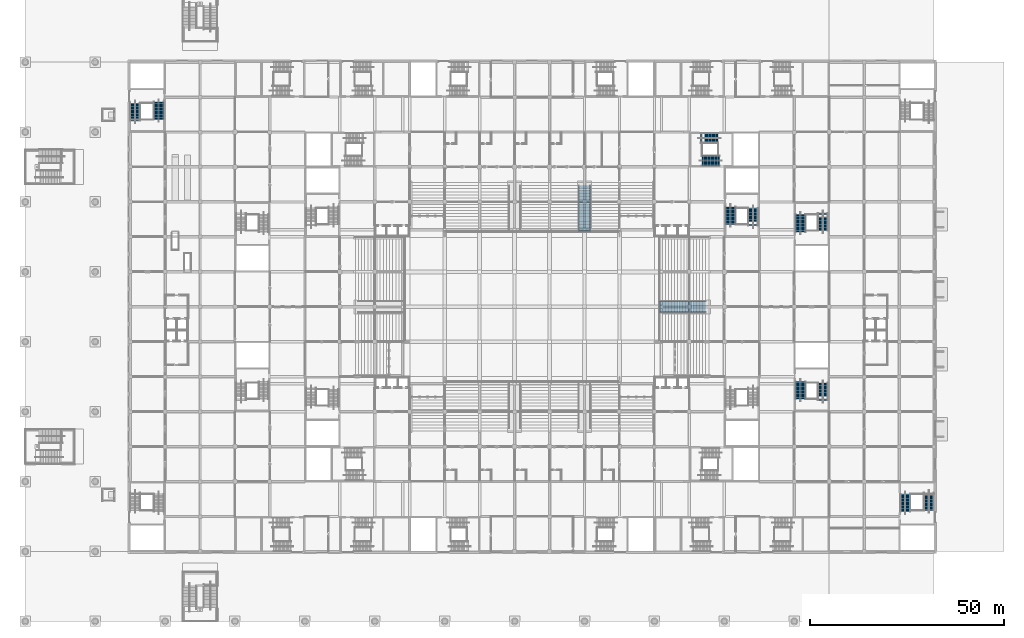
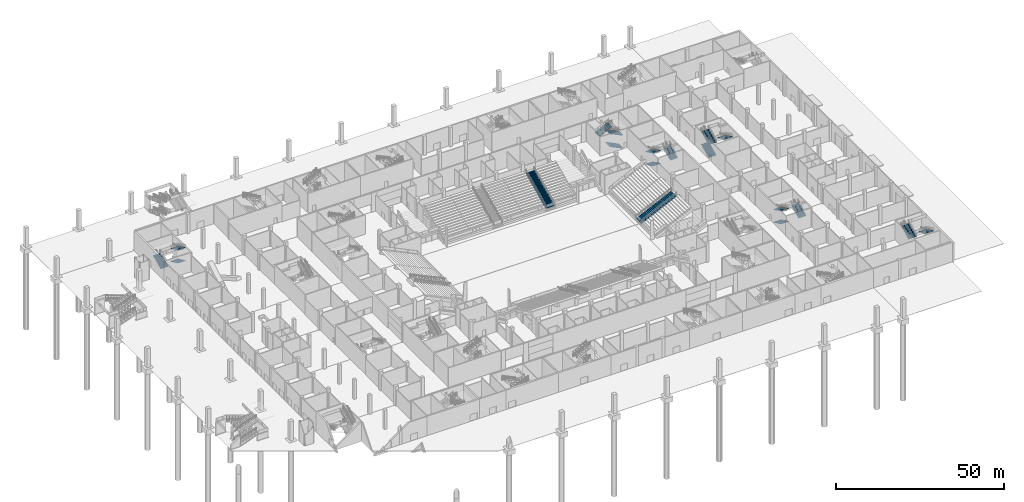
# One storey, part 45 of 92: 19 stair flights, 8 elements without a shape of their own.
"""IFC4 building model written with IfcOpenShell, lengths in metres."""

from ifc_helpers import new_model, si_unit, direction, frame, origin, place, context, subcontext, project, spatial, polyline, outline, extrude, material, type_object, element, aggregate, save


model = new_model("IFC4")

# Units and contexts
model_context = context("Model", 3, precision=1e-05, world=origin(), true_north=direction((0.0, 1.0)))
body_context = subcontext(model_context, "Body", "Model", "MODEL_VIEW")
ifc_project = project(units=[si_unit("LENGTHUNIT", "METRE"), si_unit("AREAUNIT", "SQUARE_METRE"), si_unit("VOLUMEUNIT", "CUBIC_METRE"), si_unit("PLANEANGLEUNIT", "RADIAN"), si_unit("MASSUNIT", "GRAM", prefix="KILO")], contexts=[model_context])

# Site, building, storey
site_placement = place(None, origin())
site = spatial("IfcSite", under=ifc_project, at=site_placement, CompositionType="ELEMENT")
building_placement = place(site_placement, origin())
building = spatial("IfcBuilding", under=site, at=building_placement, Name="Silverbay Arena", CompositionType="ELEMENT")
storey_placement = place(building_placement, origin())
storey = spatial("IfcBuildingStorey", under=building, at=storey_placement, Name="L00", CompositionType="ELEMENT", Elevation=0.0)

# Stair, stair flights
ifc_material_1 = material(Name="Concrete Grade C45", Category="concrete")
stair_type_1 = type_object("IfcStairType", Name="Stair 2600 wide 48 risers 145.8 x 300", PredefinedType="HALF_TURN_STAIR", material=ifc_material_1)
stair_1_placement = place(storey_placement, origin())
stair_1 = element("IfcStair", 1, at=stair_1_placement, inside=storey, type_object=stair_type_1, Name="Stair ST-E1 L00 to L01", PredefinedType="HALF_TURN_STAIR")
ifc_material_2 = material(Name="Concrete Grade C45", Category="concrete")
stair_flight_type_1 = type_object("IfcStairFlightType", Name="Stair flight 2600 wide 16 risers 145.8 x 300", PredefinedType="STRAIGHT", material=ifc_material_2)
stair_flight_1_placement = place(storey_placement, frame((199.60009765625, 61.7431640625, 0.0), z_axis=(0.0, 0.0, 1.0), x_axis=(0.0, -1.0, 0.0)))
stair_flight_1 = element("IfcStairFlight", 2, at=stair_flight_1_placement, type_object=stair_flight_type_1, Name="Stair ST-E1 L00 to L01 flight 1", NumberOfRisers=16, NumberOfTreads=15, PredefinedType="STRAIGHT", RiserHeight=0.145833333, TreadLength=0.3, context=body_context, shape_type="SweptSolid", body=[
    extrude(outline(polyline([(0.0, 0.0), (0.0, 0.145751953125), (0.300048828125, 0.145751953125), (0.300048828125, 0.291748046875), (0.60009765625, 0.291748046875), (0.60009765625, 0.4375), (0.89990234375, 0.4375), (0.89990234375, 0.583251953125), (1.199951171875, 0.583251953125), (1.199951171875, 0.729248046875), (1.5, 0.729248046875), (1.5, 0.875), (1.800048828125, 0.875), (1.800048828125, 1.020751953125), (2.10009765625, 1.020751953125), (2.10009765625, 1.166748046875), (2.39990234375, 1.166748046875), (2.39990234375, 1.3125), (2.699951171875, 1.3125), (2.699951171875, 1.458251953125), (3.0, 1.458251953125), (3.0, 1.604248046875), (3.300048828125, 1.604248046875), (3.300048828125, 1.75), (3.60009765625, 1.75), (3.60009765625, 1.895751953125), (3.89990234375, 1.895751953125), (3.89990234375, 2.041748046875), (4.199951171875, 2.041748046875), (4.199951171875, 2.1875), (4.5, 2.1875), (4.5, 2.020751953125), (0.3427734375, 0.0), (0.0, 0.0)])), frame((0.0, 1.300048828125, 0.0), z_axis=(0.0, -1.0, 0.0), x_axis=(1.0, 0.0, 0.0)), (0.0, 0.0, 1.0), 2.60009765625),
])
stair_flight_2_placement = place(storey_placement, frame((205.39990234375, 56.89990234375, 2.333251953125), z_axis=(0.0, 0.0, 1.0), x_axis=(0.0, 1.0, 0.0)))
stair_flight_2 = element("IfcStairFlight", 3, at=stair_flight_2_placement, type_object=stair_flight_type_1, Name="Stair ST-E1 L00 to L01 flight 2", NumberOfRisers=16, NumberOfTreads=15, PredefinedType="STRAIGHT", RiserHeight=0.145833333, TreadLength=0.3, context=body_context, shape_type="SweptSolid", body=[
    extrude(outline(polyline([(0.0, 0.0), (0.0, 0.145751953125), (0.300048828125, 0.145751953125), (0.300048828125, 0.291748046875), (0.60009765625, 0.291748046875), (0.60009765625, 0.4375), (0.89990234375, 0.4375), (0.89990234375, 0.583251953125), (1.199951171875, 0.583251953125), (1.199951171875, 0.729248046875), (1.5, 0.729248046875), (1.5, 0.875), (1.800048828125, 0.875), (1.800048828125, 1.020751953125), (2.10009765625, 1.020751953125), (2.10009765625, 1.166748046875), (2.39990234375, 1.166748046875), (2.39990234375, 1.3125), (2.699951171875, 1.3125), (2.699951171875, 1.458251953125), (3.0, 1.458251953125), (3.0, 1.604248046875), (3.300048828125, 1.604248046875), (3.300048828125, 1.75), (3.60009765625, 1.75), (3.60009765625, 1.895751953125), (3.89990234375, 1.895751953125), (3.89990234375, 2.041748046875), (4.199951171875, 2.041748046875), (4.199951171875, 2.1875), (4.5, 2.1875), (4.5, 2.020751953125), (0.3427734375, 0.0), (0.0, 0.0)])), frame((0.0, 1.300048828125, 0.0), z_axis=(0.0, -1.0, 0.0), x_axis=(1.0, 0.0, 0.0)), (0.0, 0.0, 1.0), 2.60009765625),
])
stair_flight_3_placement = place(storey_placement, frame((199.60009765625, 61.7431640625, 4.666748046875), z_axis=(0.0, 0.0, 1.0), x_axis=(0.0, -1.0, 0.0)))
stair_flight_3 = element("IfcStairFlight", 4, at=stair_flight_3_placement, type_object=stair_flight_type_1, Name="Stair ST-E1 L00 to L01 flight 3", NumberOfRisers=16, NumberOfTreads=15, PredefinedType="STRAIGHT", RiserHeight=0.145833333, TreadLength=0.3, context=body_context, shape_type="SweptSolid", body=[
    extrude(outline(polyline([(0.0, 0.0), (0.0, 0.145751953125), (0.300048828125, 0.145751953125), (0.300048828125, 0.291748046875), (0.60009765625, 0.291748046875), (0.60009765625, 0.4375), (0.89990234375, 0.4375), (0.89990234375, 0.583251953125), (1.199951171875, 0.583251953125), (1.199951171875, 0.729248046875), (1.5, 0.729248046875), (1.5, 0.875), (1.800048828125, 0.875), (1.800048828125, 1.020751953125), (2.10009765625, 1.020751953125), (2.10009765625, 1.166748046875), (2.39990234375, 1.166748046875), (2.39990234375, 1.3125), (2.699951171875, 1.3125), (2.699951171875, 1.458251953125), (3.0, 1.458251953125), (3.0, 1.604248046875), (3.300048828125, 1.604248046875), (3.300048828125, 1.75), (3.60009765625, 1.75), (3.60009765625, 1.895751953125), (3.89990234375, 1.895751953125), (3.89990234375, 2.041748046875), (4.199951171875, 2.041748046875), (4.199951171875, 2.1875), (4.5, 2.1875), (4.5, 2.020751953125), (0.3427734375, 0.0), (0.0, 0.0)])), frame((0.0, 1.300048828125, 0.0), z_axis=(0.0, -1.0, 0.0), x_axis=(1.0, 0.0, 0.0)), (0.0, 0.0, 1.0), 2.60009765625),
])
aggregate(stair_1, [stair_flight_1, stair_flight_2, stair_flight_3])

stair_2_placement = place(storey_placement, origin())
stair_2 = element("IfcStair", 5, at=stair_2_placement, inside=storey, type_object=stair_type_1, Name="Stair ST-E2 L00 to L01", PredefinedType="HALF_TURN_STAIR")
stair_flight_4_placement = place(storey_placement, frame((199.60009765625, 100.2568359375, 0.0), z_axis=(0.0, 0.0, 1.0), x_axis=(0.0, 1.0, 0.0)))
stair_flight_4 = element("IfcStairFlight", 6, at=stair_flight_4_placement, type_object=stair_flight_type_1, Name="Stair ST-E2 L00 to L01 flight 1", NumberOfRisers=16, NumberOfTreads=15, PredefinedType="STRAIGHT", RiserHeight=0.145833333, TreadLength=0.3, context=body_context, shape_type="SweptSolid", body=[
    extrude(outline(polyline([(0.0, 0.0), (0.0, 0.145751953125), (0.300048828125, 0.145751953125), (0.300048828125, 0.291748046875), (0.60009765625, 0.291748046875), (0.60009765625, 0.4375), (0.89990234375, 0.4375), (0.89990234375, 0.583251953125), (1.199951171875, 0.583251953125), (1.199951171875, 0.729248046875), (1.5, 0.729248046875), (1.5, 0.875), (1.800048828125, 0.875), (1.800048828125, 1.020751953125), (2.10009765625, 1.020751953125), (2.10009765625, 1.166748046875), (2.39990234375, 1.166748046875), (2.39990234375, 1.3125), (2.699951171875, 1.3125), (2.699951171875, 1.458251953125), (3.0, 1.458251953125), (3.0, 1.604248046875), (3.300048828125, 1.604248046875), (3.300048828125, 1.75), (3.60009765625, 1.75), (3.60009765625, 1.895751953125), (3.89990234375, 1.895751953125), (3.89990234375, 2.041748046875), (4.199951171875, 2.041748046875), (4.199951171875, 2.1875), (4.5, 2.1875), (4.5, 2.020751953125), (0.3427734375, 0.0), (0.0, 0.0)])), frame((0.0, 1.300048828125, 0.0), z_axis=(0.0, -1.0, 0.0), x_axis=(1.0, 0.0, 0.0)), (0.0, 0.0, 1.0), 2.60009765625),
])
stair_flight_5_placement = place(storey_placement, frame((205.39990234375, 105.10009765625, 2.333251953125), z_axis=(0.0, 0.0, 1.0), x_axis=(0.0, -1.0, 0.0)))
stair_flight_5 = element("IfcStairFlight", 7, at=stair_flight_5_placement, type_object=stair_flight_type_1, Name="Stair ST-E2 L00 to L01 flight 2", NumberOfRisers=16, NumberOfTreads=15, PredefinedType="STRAIGHT", RiserHeight=0.145833333, TreadLength=0.3, context=body_context, shape_type="SweptSolid", body=[
    extrude(outline(polyline([(0.0, 0.0), (0.0, 0.145751953125), (0.300048828125, 0.145751953125), (0.300048828125, 0.291748046875), (0.60009765625, 0.291748046875), (0.60009765625, 0.4375), (0.89990234375, 0.4375), (0.89990234375, 0.583251953125), (1.199951171875, 0.583251953125), (1.199951171875, 0.729248046875), (1.5, 0.729248046875), (1.5, 0.875), (1.800048828125, 0.875), (1.800048828125, 1.020751953125), (2.10009765625, 1.020751953125), (2.10009765625, 1.166748046875), (2.39990234375, 1.166748046875), (2.39990234375, 1.3125), (2.699951171875, 1.3125), (2.699951171875, 1.458251953125), (3.0, 1.458251953125), (3.0, 1.604248046875), (3.300048828125, 1.604248046875), (3.300048828125, 1.75), (3.60009765625, 1.75), (3.60009765625, 1.895751953125), (3.89990234375, 1.895751953125), (3.89990234375, 2.041748046875), (4.199951171875, 2.041748046875), (4.199951171875, 2.1875), (4.5, 2.1875), (4.5, 2.020751953125), (0.3427734375, 0.0), (0.0, 0.0)])), frame((0.0, 1.300048828125, 0.0), z_axis=(0.0, -1.0, 0.0), x_axis=(1.0, 0.0, 0.0)), (0.0, 0.0, 1.0), 2.60009765625),
])
stair_flight_6_placement = place(storey_placement, frame((199.60009765625, 100.2568359375, 4.666748046875), z_axis=(0.0, 0.0, 1.0), x_axis=(0.0, 1.0, 0.0)))
stair_flight_6 = element("IfcStairFlight", 8, at=stair_flight_6_placement, type_object=stair_flight_type_1, Name="Stair ST-E2 L00 to L01 flight 3", NumberOfRisers=16, NumberOfTreads=15, PredefinedType="STRAIGHT", RiserHeight=0.145833333, TreadLength=0.3, context=body_context, shape_type="SweptSolid", body=[
    extrude(outline(polyline([(0.0, 0.0), (0.0, 0.145751953125), (0.300048828125, 0.145751953125), (0.300048828125, 0.291748046875), (0.60009765625, 0.291748046875), (0.60009765625, 0.4375), (0.89990234375, 0.4375), (0.89990234375, 0.583251953125), (1.199951171875, 0.583251953125), (1.199951171875, 0.729248046875), (1.5, 0.729248046875), (1.5, 0.875), (1.800048828125, 0.875), (1.800048828125, 1.020751953125), (2.10009765625, 1.020751953125), (2.10009765625, 1.166748046875), (2.39990234375, 1.166748046875), (2.39990234375, 1.3125), (2.699951171875, 1.3125), (2.699951171875, 1.458251953125), (3.0, 1.458251953125), (3.0, 1.604248046875), (3.300048828125, 1.604248046875), (3.300048828125, 1.75), (3.60009765625, 1.75), (3.60009765625, 1.895751953125), (3.89990234375, 1.895751953125), (3.89990234375, 2.041748046875), (4.199951171875, 2.041748046875), (4.199951171875, 2.1875), (4.5, 2.1875), (4.5, 2.020751953125), (0.3427734375, 0.0), (0.0, 0.0)])), frame((0.0, 1.300048828125, 0.0), z_axis=(0.0, -1.0, 0.0), x_axis=(1.0, 0.0, 0.0)), (0.0, 0.0, 1.0), 2.60009765625),
])
aggregate(stair_2, [stair_flight_4, stair_flight_5, stair_flight_6])

stair_3_placement = place(storey_placement, origin())
stair_3 = element("IfcStair", 9, at=stair_3_placement, inside=storey, type_object=stair_type_1, Name="Stair ST-NE1 L00 to L01", PredefinedType="HALF_TURN_STAIR")
stair_flight_7_placement = place(storey_placement, frame((178.7431640625, 118.60009765625, 0.0), z_axis=(0.0, 0.0, 1.0), x_axis=(-1.0, 0.0, 0.0)))
stair_flight_7 = element("IfcStairFlight", 10, at=stair_flight_7_placement, type_object=stair_flight_type_1, Name="Stair ST-NE1 L00 to L01 flight 1", NumberOfRisers=16, NumberOfTreads=15, PredefinedType="STRAIGHT", RiserHeight=0.145833333, TreadLength=0.3, context=body_context, shape_type="SweptSolid", body=[
    extrude(outline(polyline([(0.0, 0.0), (0.0, 0.145751953125), (0.300048828125, 0.145751953125), (0.300048828125, 0.291748046875), (0.60009765625, 0.291748046875), (0.60009765625, 0.4375), (0.89990234375, 0.4375), (0.89990234375, 0.583251953125), (1.199951171875, 0.583251953125), (1.199951171875, 0.729248046875), (1.5, 0.729248046875), (1.5, 0.875), (1.800048828125, 0.875), (1.800048828125, 1.020751953125), (2.10009765625, 1.020751953125), (2.10009765625, 1.166748046875), (2.39990234375, 1.166748046875), (2.39990234375, 1.3125), (2.699951171875, 1.3125), (2.699951171875, 1.458251953125), (3.0, 1.458251953125), (3.0, 1.604248046875), (3.300048828125, 1.604248046875), (3.300048828125, 1.75), (3.60009765625, 1.75), (3.60009765625, 1.895751953125), (3.89990234375, 1.895751953125), (3.89990234375, 2.041748046875), (4.199951171875, 2.041748046875), (4.199951171875, 2.1875), (4.5, 2.1875), (4.5, 2.020751953125), (0.3427734375, 0.0), (0.0, 0.0)])), frame((0.0, 1.300048828125, 0.0), z_axis=(0.0, -1.0, 0.0), x_axis=(1.0, 0.0, 0.0)), (0.0, 0.0, 1.0), 2.60009765625),
])
stair_flight_8_placement = place(storey_placement, frame((173.89990234375, 124.39990234375, 2.333251953125), z_axis=(0.0, 0.0, 1.0), x_axis=(1.0, 0.0, 0.0)))
stair_flight_8 = element("IfcStairFlight", 11, at=stair_flight_8_placement, type_object=stair_flight_type_1, Name="Stair ST-NE1 L00 to L01 flight 2", NumberOfRisers=16, NumberOfTreads=15, PredefinedType="STRAIGHT", RiserHeight=0.145833333, TreadLength=0.3, context=body_context, shape_type="SweptSolid", body=[
    extrude(outline(polyline([(0.0, 0.0), (0.0, 0.145751953125), (0.300048828125, 0.145751953125), (0.300048828125, 0.291748046875), (0.60009765625, 0.291748046875), (0.60009765625, 0.4375), (0.89990234375, 0.4375), (0.89990234375, 0.583251953125), (1.199951171875, 0.583251953125), (1.199951171875, 0.729248046875), (1.5, 0.729248046875), (1.5, 0.875), (1.800048828125, 0.875), (1.800048828125, 1.020751953125), (2.10009765625, 1.020751953125), (2.10009765625, 1.166748046875), (2.39990234375, 1.166748046875), (2.39990234375, 1.3125), (2.699951171875, 1.3125), (2.699951171875, 1.458251953125), (3.0, 1.458251953125), (3.0, 1.604248046875), (3.300048828125, 1.604248046875), (3.300048828125, 1.75), (3.60009765625, 1.75), (3.60009765625, 1.895751953125), (3.89990234375, 1.895751953125), (3.89990234375, 2.041748046875), (4.199951171875, 2.041748046875), (4.199951171875, 2.1875), (4.5, 2.1875), (4.5, 2.020751953125), (0.3427734375, 0.0), (0.0, 0.0)])), frame((0.0, 1.300048828125, 0.0), z_axis=(0.0, -1.0, 0.0), x_axis=(1.0, 0.0, 0.0)), (0.0, 0.0, 1.0), 2.60009765625),
])
stair_flight_9_placement = place(storey_placement, frame((178.7431640625, 118.60009765625, 4.666748046875), z_axis=(0.0, 0.0, 1.0), x_axis=(-1.0, 0.0, 0.0)))
stair_flight_9 = element("IfcStairFlight", 12, at=stair_flight_9_placement, type_object=stair_flight_type_1, Name="Stair ST-NE1 L00 to L01 flight 3", NumberOfRisers=16, NumberOfTreads=15, PredefinedType="STRAIGHT", RiserHeight=0.145833333, TreadLength=0.3, context=body_context, shape_type="SweptSolid", body=[
    extrude(outline(polyline([(0.0, 0.0), (0.0, 0.145751953125), (0.300048828125, 0.145751953125), (0.300048828125, 0.291748046875), (0.60009765625, 0.291748046875), (0.60009765625, 0.4375), (0.89990234375, 0.4375), (0.89990234375, 0.583251953125), (1.199951171875, 0.583251953125), (1.199951171875, 0.729248046875), (1.5, 0.729248046875), (1.5, 0.875), (1.800048828125, 0.875), (1.800048828125, 1.020751953125), (2.10009765625, 1.020751953125), (2.10009765625, 1.166748046875), (2.39990234375, 1.166748046875), (2.39990234375, 1.3125), (2.699951171875, 1.3125), (2.699951171875, 1.458251953125), (3.0, 1.458251953125), (3.0, 1.604248046875), (3.300048828125, 1.604248046875), (3.300048828125, 1.75), (3.60009765625, 1.75), (3.60009765625, 1.895751953125), (3.89990234375, 1.895751953125), (3.89990234375, 2.041748046875), (4.199951171875, 2.041748046875), (4.199951171875, 2.1875), (4.5, 2.1875), (4.5, 2.020751953125), (0.3427734375, 0.0), (0.0, 0.0)])), frame((0.0, 1.300048828125, 0.0), z_axis=(0.0, -1.0, 0.0), x_axis=(1.0, 0.0, 0.0)), (0.0, 0.0, 1.0), 2.60009765625),
])
aggregate(stair_3, [stair_flight_7, stair_flight_8, stair_flight_9])

stair_4_placement = place(storey_placement, origin())
stair_4 = element("IfcStair", 13, at=stair_4_placement, inside=storey, type_object=stair_type_1, Name="Stair ST-NE2 L00 to L01", PredefinedType="HALF_TURN_STAIR")
stair_flight_10_placement = place(storey_placement, frame((181.60009765625, 106.7431640625, 0.0), z_axis=(0.0, 0.0, 1.0), x_axis=(0.0, -1.0, 0.0)))
stair_flight_10 = element("IfcStairFlight", 14, at=stair_flight_10_placement, type_object=stair_flight_type_1, Name="Stair ST-NE2 L00 to L01 flight 1", NumberOfRisers=16, NumberOfTreads=15, PredefinedType="STRAIGHT", RiserHeight=0.145833333, TreadLength=0.3, context=body_context, shape_type="SweptSolid", body=[
    extrude(outline(polyline([(0.0, 0.0), (0.0, 0.145751953125), (0.300048828125, 0.145751953125), (0.300048828125, 0.291748046875), (0.60009765625, 0.291748046875), (0.60009765625, 0.4375), (0.89990234375, 0.4375), (0.89990234375, 0.583251953125), (1.199951171875, 0.583251953125), (1.199951171875, 0.729248046875), (1.5, 0.729248046875), (1.5, 0.875), (1.800048828125, 0.875), (1.800048828125, 1.020751953125), (2.10009765625, 1.020751953125), (2.10009765625, 1.166748046875), (2.39990234375, 1.166748046875), (2.39990234375, 1.3125), (2.699951171875, 1.3125), (2.699951171875, 1.458251953125), (3.0, 1.458251953125), (3.0, 1.604248046875), (3.300048828125, 1.604248046875), (3.300048828125, 1.75), (3.60009765625, 1.75), (3.60009765625, 1.895751953125), (3.89990234375, 1.895751953125), (3.89990234375, 2.041748046875), (4.199951171875, 2.041748046875), (4.199951171875, 2.1875), (4.5, 2.1875), (4.5, 2.020751953125), (0.3427734375, 0.0), (0.0, 0.0)])), frame((0.0, 1.300048828125, 0.0), z_axis=(0.0, -1.0, 0.0), x_axis=(1.0, 0.0, 0.0)), (0.0, 0.0, 1.0), 2.60009765625),
])
stair_flight_11_placement = place(storey_placement, frame((187.39990234375, 101.89990234375, 2.333251953125), z_axis=(0.0, 0.0, 1.0), x_axis=(0.0, 1.0, 0.0)))
stair_flight_11 = element("IfcStairFlight", 15, at=stair_flight_11_placement, type_object=stair_flight_type_1, Name="Stair ST-NE2 L00 to L01 flight 2", NumberOfRisers=16, NumberOfTreads=15, PredefinedType="STRAIGHT", RiserHeight=0.145833333, TreadLength=0.3, context=body_context, shape_type="SweptSolid", body=[
    extrude(outline(polyline([(0.0, 0.0), (0.0, 0.145751953125), (0.300048828125, 0.145751953125), (0.300048828125, 0.291748046875), (0.60009765625, 0.291748046875), (0.60009765625, 0.4375), (0.89990234375, 0.4375), (0.89990234375, 0.583251953125), (1.199951171875, 0.583251953125), (1.199951171875, 0.729248046875), (1.5, 0.729248046875), (1.5, 0.875), (1.800048828125, 0.875), (1.800048828125, 1.020751953125), (2.10009765625, 1.020751953125), (2.10009765625, 1.166748046875), (2.39990234375, 1.166748046875), (2.39990234375, 1.3125), (2.699951171875, 1.3125), (2.699951171875, 1.458251953125), (3.0, 1.458251953125), (3.0, 1.604248046875), (3.300048828125, 1.604248046875), (3.300048828125, 1.75), (3.60009765625, 1.75), (3.60009765625, 1.895751953125), (3.89990234375, 1.895751953125), (3.89990234375, 2.041748046875), (4.199951171875, 2.041748046875), (4.199951171875, 2.1875), (4.5, 2.1875), (4.5, 2.020751953125), (0.3427734375, 0.0), (0.0, 0.0)])), frame((0.0, 1.300048828125, 0.0), z_axis=(0.0, -1.0, 0.0), x_axis=(1.0, 0.0, 0.0)), (0.0, 0.0, 1.0), 2.60009765625),
])
stair_flight_12_placement = place(storey_placement, frame((181.60009765625, 106.7431640625, 4.666748046875), z_axis=(0.0, 0.0, 1.0), x_axis=(0.0, -1.0, 0.0)))
stair_flight_12 = element("IfcStairFlight", 16, at=stair_flight_12_placement, type_object=stair_flight_type_1, Name="Stair ST-NE2 L00 to L01 flight 3", NumberOfRisers=16, NumberOfTreads=15, PredefinedType="STRAIGHT", RiserHeight=0.145833333, TreadLength=0.3, context=body_context, shape_type="SweptSolid", body=[
    extrude(outline(polyline([(0.0, 0.0), (0.0, 0.145751953125), (0.300048828125, 0.145751953125), (0.300048828125, 0.291748046875), (0.60009765625, 0.291748046875), (0.60009765625, 0.4375), (0.89990234375, 0.4375), (0.89990234375, 0.583251953125), (1.199951171875, 0.583251953125), (1.199951171875, 0.729248046875), (1.5, 0.729248046875), (1.5, 0.875), (1.800048828125, 0.875), (1.800048828125, 1.020751953125), (2.10009765625, 1.020751953125), (2.10009765625, 1.166748046875), (2.39990234375, 1.166748046875), (2.39990234375, 1.3125), (2.699951171875, 1.3125), (2.699951171875, 1.458251953125), (3.0, 1.458251953125), (3.0, 1.604248046875), (3.300048828125, 1.604248046875), (3.300048828125, 1.75), (3.60009765625, 1.75), (3.60009765625, 1.895751953125), (3.89990234375, 1.895751953125), (3.89990234375, 2.041748046875), (4.199951171875, 2.041748046875), (4.199951171875, 2.1875), (4.5, 2.1875), (4.5, 2.020751953125), (0.3427734375, 0.0), (0.0, 0.0)])), frame((0.0, 1.300048828125, 0.0), z_axis=(0.0, -1.0, 0.0), x_axis=(1.0, 0.0, 0.0)), (0.0, 0.0, 1.0), 2.60009765625),
])
aggregate(stair_4, [stair_flight_10, stair_flight_11, stair_flight_12])

stair_5_placement = place(storey_placement, origin())
stair_5 = element("IfcStair", 17, at=stair_5_placement, inside=storey, type_object=stair_type_1, Name="Stair ST-WG2 L00 to L01", PredefinedType="HALF_TURN_STAIR")
stair_flight_13_placement = place(storey_placement, frame((34.39990234375, 133.7431640625, 0.0), z_axis=(0.0, 0.0, 1.0), x_axis=(0.0, -1.0, 0.0)))
stair_flight_13 = element("IfcStairFlight", 18, at=stair_flight_13_placement, type_object=stair_flight_type_1, Name="Stair ST-WG2 L00 to L01 flight 1", NumberOfRisers=16, NumberOfTreads=15, PredefinedType="STRAIGHT", RiserHeight=0.145833333, TreadLength=0.3, context=body_context, shape_type="SweptSolid", body=[
    extrude(outline(polyline([(0.0, 0.0), (0.0, 0.145751953125), (0.300048828125, 0.145751953125), (0.300048828125, 0.291748046875), (0.60009765625, 0.291748046875), (0.60009765625, 0.4375), (0.89990234375, 0.4375), (0.89990234375, 0.583251953125), (1.199951171875, 0.583251953125), (1.199951171875, 0.729248046875), (1.5, 0.729248046875), (1.5, 0.875), (1.800048828125, 0.875), (1.800048828125, 1.020751953125), (2.10009765625, 1.020751953125), (2.10009765625, 1.166748046875), (2.39990234375, 1.166748046875), (2.39990234375, 1.3125), (2.699951171875, 1.3125), (2.699951171875, 1.458251953125), (3.0, 1.458251953125), (3.0, 1.604248046875), (3.300048828125, 1.604248046875), (3.300048828125, 1.75), (3.60009765625, 1.75), (3.60009765625, 1.895751953125), (3.89990234375, 1.895751953125), (3.89990234375, 2.041748046875), (4.199951171875, 2.041748046875), (4.199951171875, 2.1875), (4.5, 2.1875), (4.5, 2.020751953125), (0.3427734375, 0.0), (0.0, 0.0)])), frame((0.0, 1.300048828125, 0.0), z_axis=(0.0, -1.0, 0.0), x_axis=(1.0, 0.0, 0.0)), (0.0, 0.0, 1.0), 2.60009765625),
])
stair_flight_14_placement = place(storey_placement, frame((28.300048828125, 128.89990234375, 2.333251953125), z_axis=(0.0, 0.0, 1.0), x_axis=(0.0, 1.0, 0.0)))
stair_flight_14 = element("IfcStairFlight", 19, at=stair_flight_14_placement, type_object=stair_flight_type_1, Name="Stair ST-WG2 L00 to L01 flight 2", NumberOfRisers=16, NumberOfTreads=15, PredefinedType="STRAIGHT", RiserHeight=0.145833333, TreadLength=0.3, context=body_context, shape_type="SweptSolid", body=[
    extrude(outline(polyline([(0.0, 0.0), (0.0, 0.145751953125), (0.300048828125, 0.145751953125), (0.300048828125, 0.291748046875), (0.60009765625, 0.291748046875), (0.60009765625, 0.4375), (0.89990234375, 0.4375), (0.89990234375, 0.583251953125), (1.199951171875, 0.583251953125), (1.199951171875, 0.729248046875), (1.5, 0.729248046875), (1.5, 0.875), (1.800048828125, 0.875), (1.800048828125, 1.020751953125), (2.10009765625, 1.020751953125), (2.10009765625, 1.166748046875), (2.39990234375, 1.166748046875), (2.39990234375, 1.3125), (2.699951171875, 1.3125), (2.699951171875, 1.458251953125), (3.0, 1.458251953125), (3.0, 1.604248046875), (3.300048828125, 1.604248046875), (3.300048828125, 1.75), (3.60009765625, 1.75), (3.60009765625, 1.895751953125), (3.89990234375, 1.895751953125), (3.89990234375, 2.041748046875), (4.199951171875, 2.041748046875), (4.199951171875, 2.1875), (4.5, 2.1875), (4.5, 2.020751953125), (0.3427734375, 0.0), (0.0, 0.0)])), frame((0.0, 1.300048828125, 0.0), z_axis=(0.0, -1.0, 0.0), x_axis=(1.0, 0.0, 0.0)), (0.0, 0.0, 1.0), 2.60009765625),
])
stair_flight_15_placement = place(storey_placement, frame((34.39990234375, 133.7431640625, 4.666748046875), z_axis=(0.0, 0.0, 1.0), x_axis=(0.0, -1.0, 0.0)))
stair_flight_15 = element("IfcStairFlight", 20, at=stair_flight_15_placement, type_object=stair_flight_type_1, Name="Stair ST-WG2 L00 to L01 flight 3", NumberOfRisers=16, NumberOfTreads=15, PredefinedType="STRAIGHT", RiserHeight=0.145833333, TreadLength=0.3, context=body_context, shape_type="SweptSolid", body=[
    extrude(outline(polyline([(0.0, 0.0), (0.0, 0.145751953125), (0.300048828125, 0.145751953125), (0.300048828125, 0.291748046875), (0.60009765625, 0.291748046875), (0.60009765625, 0.4375), (0.89990234375, 0.4375), (0.89990234375, 0.583251953125), (1.199951171875, 0.583251953125), (1.199951171875, 0.729248046875), (1.5, 0.729248046875), (1.5, 0.875), (1.800048828125, 0.875), (1.800048828125, 1.020751953125), (2.10009765625, 1.020751953125), (2.10009765625, 1.166748046875), (2.39990234375, 1.166748046875), (2.39990234375, 1.3125), (2.699951171875, 1.3125), (2.699951171875, 1.458251953125), (3.0, 1.458251953125), (3.0, 1.604248046875), (3.300048828125, 1.604248046875), (3.300048828125, 1.75), (3.60009765625, 1.75), (3.60009765625, 1.895751953125), (3.89990234375, 1.895751953125), (3.89990234375, 2.041748046875), (4.199951171875, 2.041748046875), (4.199951171875, 2.1875), (4.5, 2.1875), (4.5, 2.020751953125), (0.3427734375, 0.0), (0.0, 0.0)])), frame((0.0, 1.300048828125, 0.0), z_axis=(0.0, -1.0, 0.0), x_axis=(1.0, 0.0, 0.0)), (0.0, 0.0, 1.0), 2.60009765625),
])
aggregate(stair_5, [stair_flight_13, stair_flight_14, stair_flight_15])

stair_6_placement = place(storey_placement, origin())
stair_6 = element("IfcStair", 21, at=stair_6_placement, inside=storey, type_object=stair_type_1, Name="Stair ST-EG1 L00 to L01", PredefinedType="HALF_TURN_STAIR")
stair_flight_16_placement = place(storey_placement, frame((232.699951171875, 33.10009765625, 2.333251953125), z_axis=(0.0, 0.0, 1.0), x_axis=(0.0, -1.0, 0.0)))
stair_flight_16 = element("IfcStairFlight", 22, at=stair_flight_16_placement, type_object=stair_flight_type_1, Name="Stair ST-EG1 L00 to L01 flight 2", NumberOfRisers=16, NumberOfTreads=15, PredefinedType="STRAIGHT", RiserHeight=0.145833333, TreadLength=0.3, context=body_context, shape_type="SweptSolid", body=[
    extrude(outline(polyline([(0.0, 0.0), (0.0, 0.145751953125), (0.300048828125, 0.145751953125), (0.300048828125, 0.291748046875), (0.60009765625, 0.291748046875), (0.60009765625, 0.4375), (0.89990234375, 0.4375), (0.89990234375, 0.583251953125), (1.199951171875, 0.583251953125), (1.199951171875, 0.729248046875), (1.5, 0.729248046875), (1.5, 0.875), (1.800048828125, 0.875), (1.800048828125, 1.020751953125), (2.10009765625, 1.020751953125), (2.10009765625, 1.166748046875), (2.39990234375, 1.166748046875), (2.39990234375, 1.3125), (2.699951171875, 1.3125), (2.699951171875, 1.458251953125), (3.0, 1.458251953125), (3.0, 1.604248046875), (3.300048828125, 1.604248046875), (3.300048828125, 1.75), (3.60009765625, 1.75), (3.60009765625, 1.895751953125), (3.89990234375, 1.895751953125), (3.89990234375, 2.041748046875), (4.199951171875, 2.041748046875), (4.199951171875, 2.1875), (4.5, 2.1875), (4.5, 2.020751953125), (0.3427734375, 0.0), (0.0, 0.0)])), frame((0.0, 1.300048828125, 0.0), z_axis=(0.0, -1.0, 0.0), x_axis=(1.0, 0.0, 0.0)), (0.0, 0.0, 1.0), 2.60009765625),
])
stair_flight_17_placement = place(storey_placement, frame((226.60009765625, 28.2568359375, 4.666748046875), z_axis=(0.0, 0.0, 1.0), x_axis=(0.0, 1.0, 0.0)))
stair_flight_17 = element("IfcStairFlight", 23, at=stair_flight_17_placement, type_object=stair_flight_type_1, Name="Stair ST-EG1 L00 to L01 flight 3", NumberOfRisers=16, NumberOfTreads=15, PredefinedType="STRAIGHT", RiserHeight=0.145833333, TreadLength=0.3, context=body_context, shape_type="SweptSolid", body=[
    extrude(outline(polyline([(0.0, 0.0), (0.0, 0.145751953125), (0.300048828125, 0.145751953125), (0.300048828125, 0.291748046875), (0.60009765625, 0.291748046875), (0.60009765625, 0.4375), (0.89990234375, 0.4375), (0.89990234375, 0.583251953125), (1.199951171875, 0.583251953125), (1.199951171875, 0.729248046875), (1.5, 0.729248046875), (1.5, 0.875), (1.800048828125, 0.875), (1.800048828125, 1.020751953125), (2.10009765625, 1.020751953125), (2.10009765625, 1.166748046875), (2.39990234375, 1.166748046875), (2.39990234375, 1.3125), (2.699951171875, 1.3125), (2.699951171875, 1.458251953125), (3.0, 1.458251953125), (3.0, 1.604248046875), (3.300048828125, 1.604248046875), (3.300048828125, 1.75), (3.60009765625, 1.75), (3.60009765625, 1.895751953125), (3.89990234375, 1.895751953125), (3.89990234375, 2.041748046875), (4.199951171875, 2.041748046875), (4.199951171875, 2.1875), (4.5, 2.1875), (4.5, 2.020751953125), (0.3427734375, 0.0), (0.0, 0.0)])), frame((0.0, 1.300048828125, 0.0), z_axis=(0.0, -1.0, 0.0), x_axis=(1.0, 0.0, 0.0)), (0.0, 0.0, 1.0), 2.60009765625),
])
aggregate(stair_6, [stair_flight_16, stair_flight_17])

# Stair, stair flight
ifc_material_3 = material(Name="Concrete Grade C45", Category="concrete")
stair_type_2 = type_object("IfcStairType", Name="Vomitory stair 3000 wide 31 risers 190 x 400", PredefinedType="STRAIGHT_RUN_STAIR", material=ifc_material_3)
stair_7_placement = place(storey_placement, origin())
stair_7 = element("IfcStair", 24, at=stair_7_placement, inside=storey, type_object=stair_type_2, Name="Vomitory stair V06", PredefinedType="STRAIGHT_RUN_STAIR")
ifc_material_4 = material(Name="Concrete Grade C45", Category="concrete")
stair_flight_type_2 = type_object("IfcStairFlightType", Name="Vomitory stair flight 3000 wide 31 risers 190 x 400", PredefinedType="STRAIGHT", material=ifc_material_4)
stair_flight_18_placement = place(storey_placement, frame((144.0, 100.199951171875, 1.110107421875), z_axis=(0.0, 0.0, 1.0), x_axis=(0.0, 1.0, 0.0)))
stair_flight_18 = element("IfcStairFlight", 25, at=stair_flight_18_placement, type_object=stair_flight_type_2, Name="Vomitory stair V06 flight", NumberOfRisers=31, NumberOfTreads=30, PredefinedType="STRAIGHT", RiserHeight=0.19, TreadLength=0.4, context=body_context, shape_type="SweptSolid", body=[
    extrude(outline(polyline([(0.0, 0.0), (0.0, 0.18994140625), (0.39990234375, 0.18994140625), (0.39990234375, 0.3798828125), (0.800048828125, 0.3798828125), (0.800048828125, 0.570068359375), (1.199951171875, 0.570068359375), (1.199951171875, 0.760009765625), (1.60009765625, 0.760009765625), (1.60009765625, 0.949951171875), (2.0, 0.949951171875), (2.0, 1.139892578125), (2.39990234375, 1.139892578125), (2.39990234375, 1.330078125), (2.800048828125, 1.330078125), (2.800048828125, 1.52001953125), (3.199951171875, 1.52001953125), (3.199951171875, 1.7099609375), (3.60009765625, 1.7099609375), (3.60009765625, 1.89990234375), (4.0, 1.89990234375), (4.0, 2.090087890625), (4.39990234375, 2.090087890625), (4.39990234375, 2.280029296875), (4.800048828125, 2.280029296875), (4.800048828125, 2.469970703125), (5.199951171875, 2.469970703125), (5.199951171875, 2.659912109375), (5.60009765625, 2.659912109375), (5.60009765625, 2.85009765625), (6.0, 2.85009765625), (6.0, 3.0400390625), (6.39990234375, 3.0400390625), (6.39990234375, 3.22998046875), (6.800048828125, 3.22998046875), (6.800048828125, 3.419921875), (7.199951171875, 3.419921875), (7.199951171875, 3.610107421875), (7.60009765625, 3.610107421875), (7.60009765625, 3.800048828125), (8.0, 3.800048828125), (8.0, 3.989990234375), (8.39990234375, 3.989990234375), (8.39990234375, 4.179931640625), (8.800048828125, 4.179931640625), (8.800048828125, 4.3701171875), (9.199951171875, 4.3701171875), (9.199951171875, 4.56005859375), (9.60009765625, 4.56005859375), (9.60009765625, 4.75), (10.0, 4.75), (10.0, 4.93994140625), (10.39990234375, 4.93994140625), (10.39990234375, 5.1298828125), (10.800048828125, 5.1298828125), (10.800048828125, 5.320068359375), (11.199951171875, 5.320068359375), (11.199951171875, 5.510009765625), (11.60009765625, 5.510009765625), (11.60009765625, 5.699951171875), (12.0, 5.699951171875), (12.0, 5.330078125), (0.779052734375, 0.0), (0.0, 0.0)])), frame((0.0, 1.5, 0.0), z_axis=(0.0, -1.0, 0.0), x_axis=(1.0, 0.0, 0.0)), (0.0, 0.0, 1.0), 3.0),
])
aggregate(stair_7, [stair_flight_18])

stair_8_placement = place(storey_placement, origin())
stair_8 = element("IfcStair", 26, at=stair_8_placement, inside=storey, type_object=stair_type_2, Name="Vomitory stair V11", PredefinedType="STRAIGHT_RUN_STAIR")
stair_flight_19_placement = place(storey_placement, frame((163.199951171875, 81.0, 1.110107421875), z_axis=(0.0, 0.0, 1.0), x_axis=(1.0, 0.0, 0.0)))
stair_flight_19 = element("IfcStairFlight", 27, at=stair_flight_19_placement, type_object=stair_flight_type_2, Name="Vomitory stair V11 flight", NumberOfRisers=31, NumberOfTreads=30, PredefinedType="STRAIGHT", RiserHeight=0.19, TreadLength=0.4, context=body_context, shape_type="SweptSolid", body=[
    extrude(outline(polyline([(0.0, 0.0), (0.0, 0.18994140625), (0.39990234375, 0.18994140625), (0.39990234375, 0.3798828125), (0.800048828125, 0.3798828125), (0.800048828125, 0.570068359375), (1.199951171875, 0.570068359375), (1.199951171875, 0.760009765625), (1.60009765625, 0.760009765625), (1.60009765625, 0.949951171875), (2.0, 0.949951171875), (2.0, 1.139892578125), (2.39990234375, 1.139892578125), (2.39990234375, 1.330078125), (2.800048828125, 1.330078125), (2.800048828125, 1.52001953125), (3.199951171875, 1.52001953125), (3.199951171875, 1.7099609375), (3.60009765625, 1.7099609375), (3.60009765625, 1.89990234375), (4.0, 1.89990234375), (4.0, 2.090087890625), (4.39990234375, 2.090087890625), (4.39990234375, 2.280029296875), (4.800048828125, 2.280029296875), (4.800048828125, 2.469970703125), (5.199951171875, 2.469970703125), (5.199951171875, 2.659912109375), (5.60009765625, 2.659912109375), (5.60009765625, 2.85009765625), (6.0, 2.85009765625), (6.0, 3.0400390625), (6.39990234375, 3.0400390625), (6.39990234375, 3.22998046875), (6.800048828125, 3.22998046875), (6.800048828125, 3.419921875), (7.199951171875, 3.419921875), (7.199951171875, 3.610107421875), (7.60009765625, 3.610107421875), (7.60009765625, 3.800048828125), (8.0, 3.800048828125), (8.0, 3.989990234375), (8.39990234375, 3.989990234375), (8.39990234375, 4.179931640625), (8.800048828125, 4.179931640625), (8.800048828125, 4.3701171875), (9.199951171875, 4.3701171875), (9.199951171875, 4.56005859375), (9.60009765625, 4.56005859375), (9.60009765625, 4.75), (10.0, 4.75), (10.0, 4.93994140625), (10.39990234375, 4.93994140625), (10.39990234375, 5.1298828125), (10.800048828125, 5.1298828125), (10.800048828125, 5.320068359375), (11.199951171875, 5.320068359375), (11.199951171875, 5.510009765625), (11.60009765625, 5.510009765625), (11.60009765625, 5.699951171875), (12.0, 5.699951171875), (12.0, 5.330078125), (0.779052734375, 0.0), (0.0, 0.0)])), frame((0.0, 1.5, 0.0), z_axis=(0.0, -1.0, 0.0), x_axis=(1.0, 0.0, 0.0)), (0.0, 0.0, 1.0), 3.0),
])
aggregate(stair_8, [stair_flight_19])

save(model, "model.ifc")
